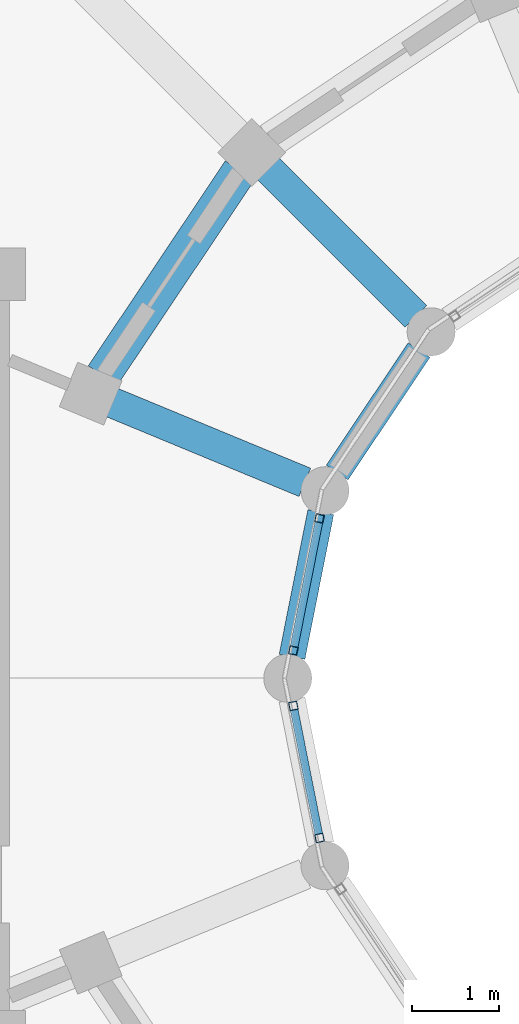
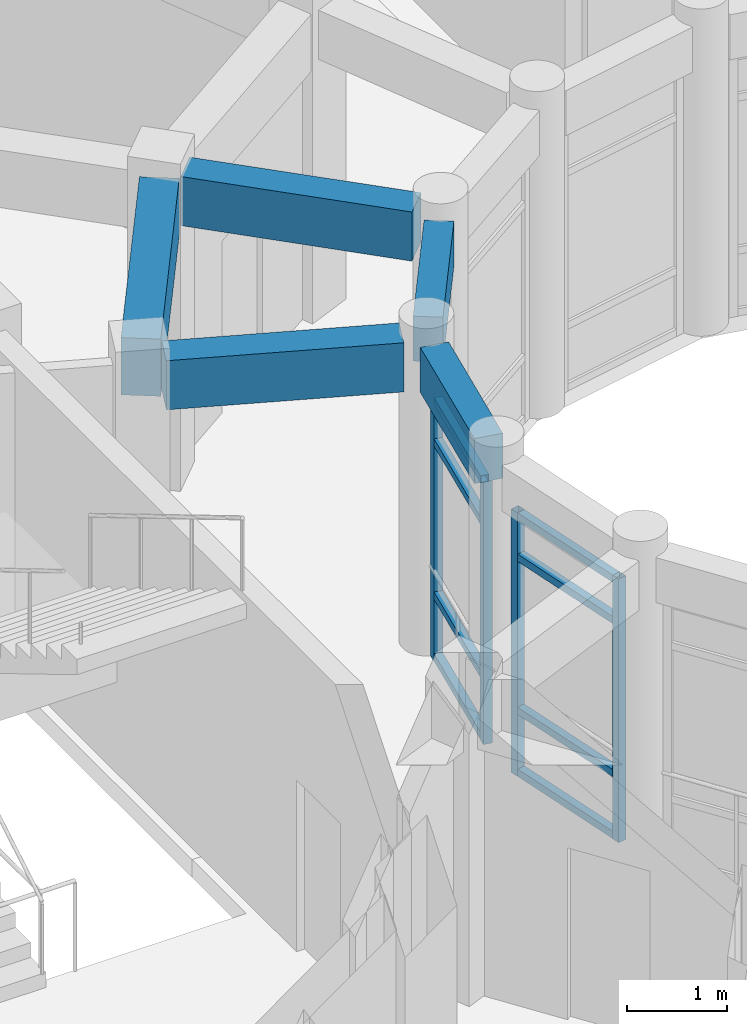
# One storey, part 12 of 112: 12 members, 5 beams, 2 elements without a shape of their own.
"""IFC4 building model written with IfcOpenShell, lengths in metres."""

from ifc_helpers import new_model, si_unit, direction, frame, origin, origin_2d, place, context, subcontext, project, spatial, rectangle, hollow_rectangle, extrude, material, material_profile, profile_set, type_object, element, aggregate, save


model = new_model("IFC4")

# Units and contexts
model_context = context("Model", 3, precision=1e-05, world=origin(), true_north=direction((0.0, 1.0)))
body_context = subcontext(model_context, "Body", "Model", "MODEL_VIEW")
ifc_project = project(units=[si_unit("LENGTHUNIT", "METRE"), si_unit("AREAUNIT", "SQUARE_METRE"), si_unit("VOLUMEUNIT", "CUBIC_METRE"), si_unit("PLANEANGLEUNIT", "RADIAN"), si_unit("MASSUNIT", "GRAM", prefix="KILO")], contexts=[model_context])

# Site, building, storey
site_placement = place(None, origin())
site = spatial("IfcSite", under=ifc_project, at=site_placement, CompositionType="ELEMENT")
building_placement = place(site_placement, origin())
building = spatial("IfcBuilding", under=site, at=building_placement, Name="Celadon Cloister-Ring School", CompositionType="ELEMENT")
storey_placement = place(building_placement, frame((0.0, 0.0, 8.5)))
storey = spatial("IfcBuildingStorey", under=building, at=storey_placement, Name="L02", CompositionType="ELEMENT", Elevation=8.5)

# Beams
ifc_material_1 = material(Name="Concrete C35/45", Category="concrete")
ifc_material_profile_1 = material_profile(ifc_material_1, rectangle(XDim=0.35009765625, YDim=0.60009765625, at=origin_2d()), Name="RC350X600")
ifc_profile_set_1 = profile_set([ifc_material_profile_1], Name="Concrete C35/45")
beam_type_1 = type_object("IfcBeamType", Name="BT-02", PredefinedType="BEAM", material=ifc_profile_set_1)
beam_1_placement = place(storey_placement, frame((14.366943359375, 25.8330078125, 3.47998046875), z_axis=(0.707106781187, -0.707106781187, 0.0), x_axis=(0.707106781187, 0.707106781187, 0.0)))
element("IfcBeam", 1, at=beam_1_placement, inside=storey, type_object=beam_type_1, Name="Beam 1006", PredefinedType="BEAM", context=body_context, shape_type="SweptSolid", body=[
    extrude(rectangle(XDim=0.35009765625, YDim=0.60009765625, at=origin_2d()), origin(), (0.0, 0.0, 1.0), 2.398681640625),
])
beam_2_placement = place(storey_placement, frame((12.577880859375, 23.156982421875, 3.47998046875), z_axis=(0.923932522988, -0.382555476978, 0.0), x_axis=(0.382555476978, 0.923932522988, 0.0)))
element("IfcBeam", 2, at=beam_2_placement, inside=storey, type_object=beam_type_1, Name="Beam 1007", PredefinedType="BEAM", context=body_context, shape_type="SweptSolid", body=[
    extrude(rectangle(XDim=0.35009765625, YDim=0.60009765625, at=origin_2d()), origin(), (0.0, 0.0, 1.0), 2.399658203125),
])

# Curtain wall, members
ifc_material_2 = material(Name="Aluminium EN AW-6063 T6", Category="aluminium")
curtain_wall_type = type_object("IfcCurtainWallType", Name="CW-04", PredefinedType="USERDEFINED", material=ifc_material_2)
curtain_wall_1_placement = place(storey_placement, origin())
curtain_wall_1 = element("IfcCurtainWall", 3, at=curtain_wall_1_placement, inside=storey, type_object=curtain_wall_type, Name="Curtain Wall 0156", ObjectType="CURTAIN WALL", PredefinedType="USERDEFINED")
ifc_material_3 = material(Name="Aluminium EN AW-6063 T6", Category="aluminium")
ifc_material_profile_2 = material_profile(ifc_material_3, hollow_rectangle(XDim=0.094970703125, YDim=0.094970703125, WallThickness=0.00390625, at=origin_2d()), Name="RHS95X95X4")
ifc_profile_set_2 = profile_set([ifc_material_profile_2], Name="Aluminium EN AW-6063 T6")
member_type_1 = type_object("IfcMemberType", Name="CM-02", PredefinedType="MULLION", material=ifc_profile_set_2)
member_1_placement = place(storey_placement, frame((14.962646484375, 21.826416015625, 0.0), z_axis=(0.0, 0.0, 1.0), x_axis=(0.980885435464, -0.194586131301, 0.0)))
member_1 = element("IfcMember", 4, at=member_1_placement, type_object=member_type_1, Name="CW-04 mullion 1", PredefinedType="MULLION", context=body_context, shape_type="SweptSolid", body=[
    extrude(hollow_rectangle(XDim=0.094970703125, YDim=0.094970703125, WallThickness=0.00390625, at=origin_2d()), origin(), (0.0, 0.0, 1.0), 3.221923828125),
])
member_2_placement = place(storey_placement, frame((14.663330078125, 20.316650390625, 0.0), z_axis=(0.0, 0.0, 1.0), x_axis=(0.980885435464, -0.194586131301, 0.0)))
member_2 = element("IfcMember", 5, at=member_2_placement, type_object=member_type_1, Name="CW-04 mullion 2", PredefinedType="MULLION", context=body_context, shape_type="SweptSolid", body=[
    extrude(hollow_rectangle(XDim=0.094970703125, YDim=0.094970703125, WallThickness=0.00390625, at=origin_2d()), origin(), (0.0, 0.0, 1.0), 3.221923828125),
])

curtain_wall_2_placement = place(storey_placement, origin())
curtain_wall_2 = element("IfcCurtainWall", 6, at=curtain_wall_2_placement, inside=storey, type_object=curtain_wall_type, Name="Curtain Wall 0157", ObjectType="CURTAIN WALL", PredefinedType="USERDEFINED")
member_3_placement = place(storey_placement, frame((14.663330078125, 19.683349609375, 0.0), z_axis=(0.0, 0.0, 1.0), x_axis=(0.980885435464, 0.194586131301, 0.0)))
member_3 = element("IfcMember", 7, at=member_3_placement, type_object=member_type_1, Name="CW-04 mullion 1", PredefinedType="MULLION", context=body_context, shape_type="SweptSolid", body=[
    extrude(hollow_rectangle(XDim=0.094970703125, YDim=0.094970703125, WallThickness=0.00390625, at=origin_2d()), origin(), (0.0, 0.0, 1.0), 3.221923828125),
])
member_4_placement = place(storey_placement, frame((14.962646484375, 18.173583984375, 0.0), z_axis=(0.0, 0.0, 1.0), x_axis=(0.980885435464, 0.194586131301, 0.0)))
member_4 = element("IfcMember", 8, at=member_4_placement, type_object=member_type_1, Name="CW-04 mullion 2", PredefinedType="MULLION", context=body_context, shape_type="SweptSolid", body=[
    extrude(hollow_rectangle(XDim=0.094970703125, YDim=0.094970703125, WallThickness=0.00390625, at=origin_2d()), origin(), (0.0, 0.0, 1.0), 3.221923828125),
])

# Member
ifc_material_4 = material(Name="Aluminium EN AW-6063 T6", Category="aluminium")
ifc_material_profile_3 = material_profile(ifc_material_4, hollow_rectangle(XDim=0.090087890625, YDim=0.090087890625, WallThickness=0.00390625, at=origin_2d()), Name="RHS90X90X4")
ifc_profile_set_3 = profile_set([ifc_material_profile_3], Name="Aluminium EN AW-6063 T6")
member_type_2 = type_object("IfcMemberType", Name="CTM-02", PredefinedType="USERDEFINED", material=ifc_profile_set_3)
member_5_placement = place(storey_placement, frame((14.95361328125, 21.77978515625, 0.044921875), z_axis=(-0.194587856315, -0.980885093257, 0.0), x_axis=(0.980885093257, -0.194587856315, 0.0)))
member_5 = element("IfcMember", 9, at=member_5_placement, type_object=member_type_2, Name="CW-04 transom 1.1", ObjectType="TRANSOM", PredefinedType="USERDEFINED", context=body_context, shape_type="SweptSolid", body=[
    extrude(hollow_rectangle(XDim=0.090087890625, YDim=0.090087890625, WallThickness=0.00390625, at=origin_2d()), origin(), (0.0, 0.0, 1.0), 1.444091796875),
])

member_6_placement = place(storey_placement, frame((14.95361328125, 21.77978515625, 0.800048828125), z_axis=(-0.194587856315, -0.980885093257, 0.0), x_axis=(0.980885093257, -0.194587856315, 0.0)))
member_6 = element("IfcMember", 10, at=member_6_placement, type_object=member_type_2, Name="CW-04 transom 1.2", ObjectType="TRANSOM", PredefinedType="USERDEFINED", context=body_context, shape_type="SweptSolid", body=[
    extrude(hollow_rectangle(XDim=0.090087890625, YDim=0.090087890625, WallThickness=0.00390625, at=origin_2d()), origin(), (0.0, 0.0, 1.0), 1.444091796875),
])

member_7_placement = place(storey_placement, frame((14.95361328125, 21.77978515625, 2.672119140625), z_axis=(-0.194587856315, -0.980885093257, 0.0), x_axis=(0.980885093257, -0.194587856315, 0.0)))
member_7 = element("IfcMember", 11, at=member_7_placement, type_object=member_type_2, Name="CW-04 transom 1.3", ObjectType="TRANSOM", PredefinedType="USERDEFINED", context=body_context, shape_type="SweptSolid", body=[
    extrude(hollow_rectangle(XDim=0.090087890625, YDim=0.090087890625, WallThickness=0.00390625, at=origin_2d()), origin(), (0.0, 0.0, 1.0), 1.444091796875),
])

member_8_placement = place(storey_placement, frame((14.95361328125, 21.77978515625, 3.177001953125), z_axis=(-0.194587856315, -0.980885093257, 0.0), x_axis=(0.980885093257, -0.194587856315, 0.0)))
member_8 = element("IfcMember", 12, at=member_8_placement, type_object=member_type_2, Name="CW-04 transom 1.4", ObjectType="TRANSOM", PredefinedType="USERDEFINED", context=body_context, shape_type="SweptSolid", body=[
    extrude(hollow_rectangle(XDim=0.090087890625, YDim=0.090087890625, WallThickness=0.00390625, at=origin_2d()), origin(), (0.0, 0.0, 1.0), 1.444091796875),
])

aggregate(curtain_wall_1, [member_1, member_2, member_5, member_6, member_7, member_8])

member_9_placement = place(storey_placement, frame((14.672607421875, 19.63671875, 0.044921875), z_axis=(0.194587856315, -0.980885093257, 0.0), x_axis=(0.980885093257, 0.194587856315, 0.0)))
member_9 = element("IfcMember", 13, at=member_9_placement, type_object=member_type_2, Name="CW-04 transom 1.1", ObjectType="TRANSOM", PredefinedType="USERDEFINED", context=body_context, shape_type="SweptSolid", body=[
    extrude(hollow_rectangle(XDim=0.090087890625, YDim=0.090087890625, WallThickness=0.00390625, at=origin_2d()), origin(), (0.0, 0.0, 1.0), 1.444091796875),
])

member_10_placement = place(storey_placement, frame((14.672607421875, 19.63671875, 0.800048828125), z_axis=(0.194587856315, -0.980885093257, 0.0), x_axis=(0.980885093257, 0.194587856315, 0.0)))
member_10 = element("IfcMember", 14, at=member_10_placement, type_object=member_type_2, Name="CW-04 transom 1.2", ObjectType="TRANSOM", PredefinedType="USERDEFINED", context=body_context, shape_type="SweptSolid", body=[
    extrude(hollow_rectangle(XDim=0.090087890625, YDim=0.090087890625, WallThickness=0.00390625, at=origin_2d()), origin(), (0.0, 0.0, 1.0), 1.444091796875),
])

member_11_placement = place(storey_placement, frame((14.672607421875, 19.63671875, 2.672119140625), z_axis=(0.194587856315, -0.980885093257, 0.0), x_axis=(0.980885093257, 0.194587856315, 0.0)))
member_11 = element("IfcMember", 15, at=member_11_placement, type_object=member_type_2, Name="CW-04 transom 1.3", ObjectType="TRANSOM", PredefinedType="USERDEFINED", context=body_context, shape_type="SweptSolid", body=[
    extrude(hollow_rectangle(XDim=0.090087890625, YDim=0.090087890625, WallThickness=0.00390625, at=origin_2d()), origin(), (0.0, 0.0, 1.0), 1.444091796875),
])

member_12_placement = place(storey_placement, frame((14.672607421875, 19.63671875, 3.177001953125), z_axis=(0.194587856315, -0.980885093257, 0.0), x_axis=(0.980885093257, 0.194587856315, 0.0)))
member_12 = element("IfcMember", 16, at=member_12_placement, type_object=member_type_2, Name="CW-04 transom 1.4", ObjectType="TRANSOM", PredefinedType="USERDEFINED", context=body_context, shape_type="SweptSolid", body=[
    extrude(hollow_rectangle(XDim=0.090087890625, YDim=0.090087890625, WallThickness=0.00390625, at=origin_2d()), origin(), (0.0, 0.0, 1.0), 1.444091796875),
])

aggregate(curtain_wall_2, [member_3, member_4, member_9, member_10, member_11, member_12])

# Beams
ifc_material_5 = material(Name="Concrete C35/45", Category="concrete")
ifc_material_profile_4 = material_profile(ifc_material_5, rectangle(XDim=0.39990234375, YDim=0.699951171875, at=origin_2d()), Name="RC400X700")
ifc_profile_set_4 = profile_set([ifc_material_profile_4], Name="Concrete C35/45")
beam_type_2 = type_object("IfcBeamType", Name="GT-03", PredefinedType="USERDEFINED", material=ifc_profile_set_4)
beam_3_placement = place(storey_placement, frame((14.051025390625, 25.802001953125, 3.429931640625), z_axis=(-0.555740149771, -0.831356052442, 0.0), x_axis=(0.831356052442, -0.555740149771, 0.0)))
element("IfcBeam", 17, at=beam_3_placement, inside=storey, type_object=beam_type_2, Name="Beam 1040", ObjectType="GIRDER", PredefinedType="USERDEFINED", context=body_context, shape_type="SweptSolid", body=[
    extrude(rectangle(XDim=0.39990234375, YDim=0.699951171875, at=origin_2d()), origin(), (0.0, 0.0, 1.0), 2.81591796875),
])
ifc_material_6 = material(Name="Concrete C35/45", Category="concrete")
ifc_material_profile_5 = material_profile(ifc_material_6, rectangle(XDim=0.300048828125, YDim=0.550048828125, at=origin_2d()), Name="RC300X550")
ifc_profile_set_5 = profile_set([ifc_material_profile_5], Name="Concrete C35/45")
beam_type_3 = type_object("IfcBeamType", Name="SP-02", PredefinedType="SPANDREL", material=ifc_profile_set_5)
beam_4_placement = place(storey_placement, frame((16.10107421875, 23.751953125, 3.5048828125), z_axis=(-0.555569328961, -0.831470216374, 0.0), x_axis=(0.831470216374, -0.555569328961, 0.0)))
element("IfcBeam", 18, at=beam_4_placement, inside=storey, type_object=beam_type_3, Name="Beam 1041", PredefinedType="SPANDREL", context=body_context, shape_type="SweptSolid", body=[
    extrude(rectangle(XDim=0.300048828125, YDim=0.550048828125, at=origin_2d()), origin(), (0.0, 0.0, 1.0), 1.684814453125),
])
beam_5_placement = place(storey_placement, frame((14.97705078125, 21.89794921875, 3.5048828125), z_axis=(-0.194722830887, -0.980858307367, 0.0), x_axis=(0.980858307367, -0.194722830887, 0.0)))
element("IfcBeam", 19, at=beam_5_placement, inside=storey, type_object=beam_type_3, Name="Beam 1043", PredefinedType="SPANDREL", context=body_context, shape_type="SweptSolid", body=[
    extrude(rectangle(XDim=0.300048828125, YDim=0.550048828125, at=origin_2d()), origin(), (0.0, 0.0, 1.0), 1.68505859375),
])

save(model, "model.ifc")
